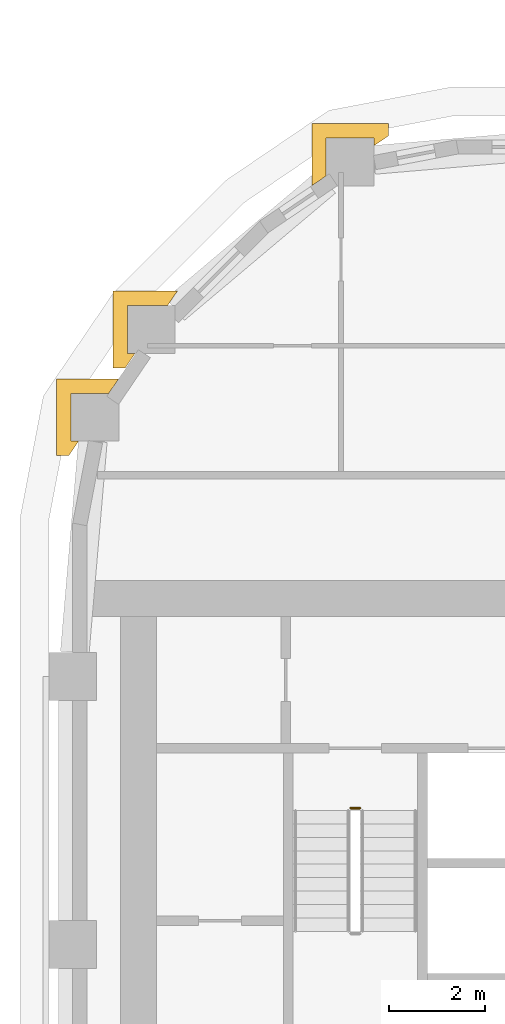
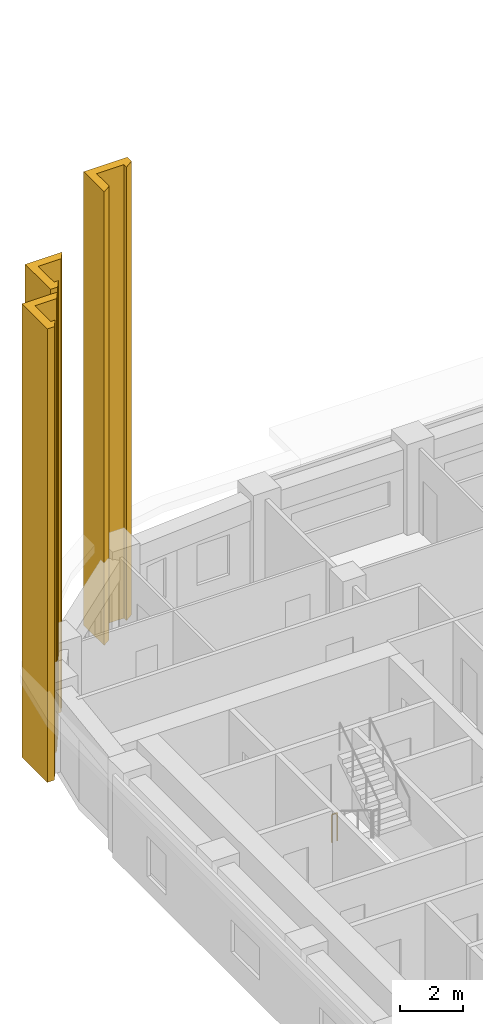
# One storey, part 20 of 22: 3 coverings, 1 railing.
"""IFC4 building model written with IfcOpenShell, lengths in metres."""

import ifcopenshell
import ifcopenshell.guid

model = None  # the IFC model being written
_history = None  # IfcOwnerHistory: only IFC2X3 demands one
_inside = {}  # id of a spatial element -> (the spatial element, [elements in it])
_under = {}  # id of a project, library or spatial element -> (it, [spatial elements below it])
_declared = {}  # id of a project -> (the project, [libraries it declares])
_typed = {}  # id of a type object -> (the type object, [elements of that type])
_made_of = {}  # id of a material, layer set ... -> (it, [elements and type objects made of it])


def new_model(schema):
    """Start an empty IFC model of exactly this schema.

    Asked for "IFC4X3", IfcOpenShell would pick the latest addendum, in which some entities
    have other attributes; the version numbers below select the first issue.
    IFC2X3 requires an IfcOwnerHistory on every rooted entity: one is made here for all.
    """
    global model, _history
    if schema == "IFC4X3":
        model = ifcopenshell.file(schema_version=(4, 3, 0, 0))
    else:
        model = ifcopenshell.file(schema=schema)
    _inside.clear()
    _under.clear()
    _declared.clear()
    _typed.clear()
    _made_of.clear()
    _history = None
    if model.schema == "IFC2X3":
        org = make("IfcOrganization", Name="unknown")
        user = make(
            "IfcPersonAndOrganization",
            ThePerson=make("IfcPerson", FamilyName="unknown"),
            TheOrganization=org,
        )
        app = make(
            "IfcApplication",
            ApplicationDeveloper=org,
            Version="unknown",
            ApplicationFullName="unknown",
            ApplicationIdentifier="unknown",
        )
        _history = make(
            "IfcOwnerHistory",
            OwningUser=user,
            OwningApplication=app,
            ChangeAction="ADDED",
            CreationDate=0,
        )
    return model


def make(cls, **values):
    """One entity of the class cls with the attributes given. An attribute that is None is left unset."""
    return model.create_entity(
        cls, **{name: value for name, value in values.items() if value is not None}
    )


def rooted(cls, **values):
    """An entity with a GlobalId (a new one), such as an element, a storey or a relation."""
    return make(cls, GlobalId=ifcopenshell.guid.new(), OwnerHistory=_history, **values)


def si_unit(unit_type, name, prefix=None):
    """IfcSIUnit, for example si_unit("LENGTHUNIT", "METRE", prefix="MILLI")."""
    return make("IfcSIUnit", UnitType=unit_type, Prefix=prefix, Name=name)


def assignment(units):
    """IfcUnitAssignment: the units of a project."""
    return None if units is None else make("IfcUnitAssignment", Units=units)


def point(xyz):
    """IfcCartesianPoint."""
    return None if xyz is None else make("IfcCartesianPoint", Coordinates=xyz)


def direction(xyz):
    """IfcDirection."""
    return None if xyz is None else make("IfcDirection", DirectionRatios=xyz)


def frame(location, z_axis=None, x_axis=None):
    """IfcAxis2Placement3D, a coordinate frame: its origin and axes. An axis left out is left unset."""
    return make(
        "IfcAxis2Placement3D",
        Location=point(location),
        Axis=direction(z_axis),
        RefDirection=direction(x_axis),
    )


def frame_2d(location, x_axis=None):
    """IfcAxis2Placement2D, a coordinate frame in the plane: its origin and x axis."""
    return make(
        "IfcAxis2Placement2D", Location=point(location), RefDirection=direction(x_axis)
    )


def origin():
    """The frame at (0, 0, 0) with its axes left unset."""
    return frame((0.0, 0.0, 0.0))


def origin_2d():
    """The frame at (0, 0) in the plane with its x axis left unset."""
    return frame_2d((0.0, 0.0))


def place(relative_to, where):
    """IfcLocalPlacement: puts the frame where relative to a parent placement (None: the world)."""
    return make(
        "IfcLocalPlacement", PlacementRelTo=relative_to, RelativePlacement=where
    )


def context(
    kind, dimensions, precision=None, world=None, true_north=None, identifier=None
):
    """IfcGeometricRepresentationContext, for example the 3D "Model" context."""
    return make(
        "IfcGeometricRepresentationContext",
        ContextIdentifier=identifier,
        ContextType=kind,
        CoordinateSpaceDimension=dimensions,
        Precision=precision,
        WorldCoordinateSystem=world,
        TrueNorth=true_north,
    )


def subcontext(parent, identifier, kind, view, scale=None):
    """IfcGeometricRepresentationSubContext, for example "Body" below "Model"."""
    return make(
        "IfcGeometricRepresentationSubContext",
        ContextIdentifier=identifier,
        ContextType=kind,
        ParentContext=parent,
        TargetScale=scale,
        TargetView=view,
    )


def project(units=None, contexts=None):
    """IfcProject with its units and contexts."""
    return rooted(
        "IfcProject",
        Name="project",
        RepresentationContexts=contexts,
        UnitsInContext=assignment(units),
    )


def spatial(cls, under=None, at=None, **own):
    """A site, building, storey or space (cls), placed at a placement, below another one or the project."""
    s = rooted(cls, ObjectPlacement=at, **own)
    if under is not None:
        _under.setdefault(under.id(), (under, []))[1].append(s)
    return s


def polyline(points):
    """IfcPolyline through the points."""
    return make("IfcPolyline", Points=[point(p) for p in points])


def profile(cls, at=None, kind="AREA", **sizes):
    """A parametric profile (cls). Its sizes go by their IFC names, for example OverallWidth=200.0."""
    return make(cls, ProfileType=kind, Position=at, **sizes)


def circle(**sizes):
    """IfcCircleProfileDef."""
    return profile("IfcCircleProfileDef", **sizes)


def outline(outer, holes=None, kind="AREA"):
    """IfcArbitraryClosedProfileDef: a profile drawn as a closed curve; with holes, ...WithVoids."""
    if holes is None:
        return make("IfcArbitraryClosedProfileDef", ProfileType=kind, OuterCurve=outer)
    return make(
        "IfcArbitraryProfileDefWithVoids",
        ProfileType=kind,
        OuterCurve=outer,
        InnerCurves=holes,
    )


def extrude(swept, where, along, depth):
    """IfcExtrudedAreaSolid: the profile swept, set in the frame where, extruded along a direction by depth."""
    return make(
        "IfcExtrudedAreaSolid",
        SweptArea=swept,
        Position=where,
        ExtrudedDirection=direction(along),
        Depth=depth,
    )


def shape(context_of_items, identifier, shape_type, items):
    """IfcShapeRepresentation: the items that make up one representation, for example the "Body"."""
    return make(
        "IfcShapeRepresentation",
        ContextOfItems=context_of_items,
        RepresentationIdentifier=identifier,
        RepresentationType=shape_type,
        Items=items,
    )


def material(Name=None, Category=None):
    """IfcMaterial."""
    return make("IfcMaterial", Name=Name, Category=Category)


def layer(
    of_material, thickness, ventilated=None, Name=None, Category=None, Priority=None
):
    """IfcMaterialLayer: one layer of a wall or slab, of a material (None: an air gap)."""
    return make(
        "IfcMaterialLayer",
        Material=of_material,
        LayerThickness=thickness,
        IsVentilated=ventilated,
        Name=Name,
        Category=Category,
        Priority=Priority,
    )


def layer_set(layers, Name=None):
    """IfcMaterialLayerSet."""
    return make("IfcMaterialLayerSet", MaterialLayers=layers, LayerSetName=Name)


def made_of(thing, what):
    """Note that an element or type object is made of a material, layer set ...; save() writes the relation."""
    if what is not None:
        _made_of.setdefault(what.id(), (what, []))[1].append(thing)
    return thing


def type_object(cls, material=None, **own):
    """A type object (cls), such as IfcWallType, which elements share."""
    return made_of(rooted(cls, **own), material)


def element(
    cls,
    number,
    at=None,
    inside=None,
    cuts=None,
    type_object=None,
    material=None,
    context=None,
    identifier="Body",
    shape_type=None,
    held_by="IfcProductDefinitionShape",
    body=None,
    shapes=None,
    **own,
):
    """One element of the class cls, such as IfcWall. Its Tag is "e" and its number.

    at: its placement. inside: the storey or other place that contains it. cuts: it is an
    opening in that element (IfcRelVoidsElement). A single representation is given by context,
    identifier, shape_type and body (its items); several are given by shapes. held_by: the class
    of the entity that holds the representations. save() writes the other relations.
    """
    e = rooted(cls, Tag="e%d" % number, ObjectPlacement=at, **own)
    if body is not None:
        shapes = [shape(context, identifier, shape_type, body)]
    if shapes is not None:
        e.Representation = make(held_by, Representations=shapes)
    if inside is not None:
        _inside.setdefault(inside.id(), (inside, []))[1].append(e)
    if cuts is not None:
        rooted(
            "IfcRelVoidsElement", RelatingBuildingElement=cuts, RelatedOpeningElement=e
        )
    if type_object is not None:
        _typed.setdefault(type_object.id(), (type_object, []))[1].append(e)
    return made_of(e, material)


def aggregate(whole, parts):
    """IfcRelAggregates: a whole, such as a stair, and the parts it consists of."""
    return rooted("IfcRelAggregates", RelatingObject=whole, RelatedObjects=parts)


def save(model, path):
    """Write the relations noted so far, then the file.

    IfcRelAggregates (storeys below a building ...), IfcRelContainedInSpatialStructure (elements
    in a storey), IfcRelDefinesByType, IfcRelAssociatesMaterial and IfcRelDeclares: one each for
    every whole, place, type object, material and project.
    """
    for whole, parts in _under.values():
        aggregate(whole, parts)
    for where, things in _inside.values():
        rooted(
            "IfcRelContainedInSpatialStructure",
            RelatedElements=things,
            RelatingStructure=where,
        )
    for kind, things in _typed.values():
        rooted("IfcRelDefinesByType", RelatedObjects=things, RelatingType=kind)
    for what, things in _made_of.values():
        rooted("IfcRelAssociatesMaterial", RelatedObjects=things, RelatingMaterial=what)
    for by, libraries in _declared.values():
        rooted("IfcRelDeclares", RelatingContext=by, RelatedDefinitions=libraries)
    model.write(path)


model = new_model("IFC4")

# Units and contexts
model_context = context("Model", 3, precision=1e-05, world=origin(), true_north=direction((0.0, 1.0)))
body_context = subcontext(model_context, "Body", "Model", "MODEL_VIEW")
ifc_project = project(units=[si_unit("LENGTHUNIT", "METRE"), si_unit("AREAUNIT", "SQUARE_METRE"), si_unit("VOLUMEUNIT", "CUBIC_METRE"), si_unit("PLANEANGLEUNIT", "RADIAN"), si_unit("MASSUNIT", "GRAM", prefix="KILO")], contexts=[model_context])

# Site, building, storey
site_placement = place(None, origin())
site = spatial("IfcSite", under=ifc_project, at=site_placement, CompositionType="ELEMENT")
building_placement = place(site_placement, origin())
building = spatial("IfcBuilding", under=site, at=building_placement, Name="Kiln Ring Residences", CompositionType="ELEMENT")
storey_placement = place(building_placement, frame((0.0, 0.0, 160.60009765625)))
storey = spatial("IfcBuildingStorey", under=building, at=storey_placement, Name="L41", CompositionType="ELEMENT", Elevation=160.60009765625)

# Railing
ifc_material_1 = material(Name="Stainless steel", Category="steel")
railing_type = type_object("IfcRailingType", Name="CORE-STAIR-GUARD", PredefinedType="GUARDRAIL", material=ifc_material_1)
railing_placement = place(storey_placement, frame((-22.199951171875, 8.449951171875, 0.0)))
element("IfcRailing", 1, at=railing_placement, inside=storey, type_object=railing_type, Name="L41 W-STN stair guard 4", PredefinedType="GUARDRAIL", context=body_context, shape_type="SweptSolid", body=[
    extrude(circle(Radius=0.02392578125, at=origin_2d()), frame((0.0, 0.0, 1.076171875), z_axis=(1.0, 0.0, 0.0), x_axis=(0.0, 1.0, 0.0)), (0.0, 0.0, 1.0), 0.199951171875),
    extrude(circle(Radius=0.02099609375, at=origin_2d()), origin(), (0.0, 0.0, 1.0), 1.052001953125),
    extrude(circle(Radius=0.02099609375, at=origin_2d()), frame((0.199951171875, 0.0, 0.0)), (0.0, 0.0, 1.0), 1.052001953125),
])

# Coverings
ifc_material_2 = material(Name="Brick masonry, dark clay brick", Category="masonry")
ifc_layer = layer(ifc_material_2, 0.300048828125)
ifc_layer_set = layer_set([ifc_layer], Name="PIER CLADDING 300")
covering_type = type_object("IfcCoveringType", Name="PIER CLADDING 300", PredefinedType="CLADDING", material=ifc_layer_set)
placement = place(storey_placement, origin())
element("IfcCovering", 2, at=placement, inside=storey, type_object=covering_type, Name="PIER CLADDING L41-L45", PredefinedType="CLADDING", context=body_context, shape_type="SweptSolid", body=[
    extrude(outline(polyline([(-21.40869140625, 22.738037109375), (-23.0087890625, 22.738037109375), (-23.0087890625, 21.4423828125), (-22.708740234375, 21.646484375), (-22.708740234375, 22.43798828125), (-21.708740234375, 22.43798828125), (-21.708740234375, 22.27783203125), (-21.40869140625, 22.481689453125), (-21.40869140625, 22.738037109375)])), origin(), (0.0, 0.0, 1.0), 17.5),
])
element("IfcCovering", 3, at=placement, inside=storey, type_object=covering_type, Name="PIER CLADDING L41-L45", PredefinedType="CLADDING", context=body_context, shape_type="SweptSolid", body=[
    extrude(outline(polyline([(-25.816162109375, 19.240234375), (-27.159912109375, 19.240234375), (-27.159912109375, 17.64013671875), (-26.903564453125, 17.64013671875), (-26.69970703125, 17.940185546875), (-26.85986328125, 17.940185546875), (-26.85986328125, 18.940185546875), (-26.02001953125, 18.940185546875), (-25.816162109375, 19.240234375), (-25.816162109375, 19.240234375)])), origin(), (0.0, 0.0, 1.0), 17.5),
])
element("IfcCovering", 4, at=placement, inside=storey, type_object=covering_type, Name="PIER CLADDING L41-L45", PredefinedType="CLADDING", context=body_context, shape_type="SweptSolid", body=[
    extrude(outline(polyline([(-27.04248046875, 17.40869140625), (-28.338134765625, 17.40869140625), (-28.338134765625, 15.80859375), (-28.081787109375, 15.80859375), (-27.8779296875, 16.108642578125), (-28.0380859375, 16.108642578125), (-28.0380859375, 17.108642578125), (-27.246337890625, 17.108642578125), (-27.04248046875, 17.40869140625)])), origin(), (0.0, 0.0, 1.0), 17.5),
])

save(model, "model.ifc")
